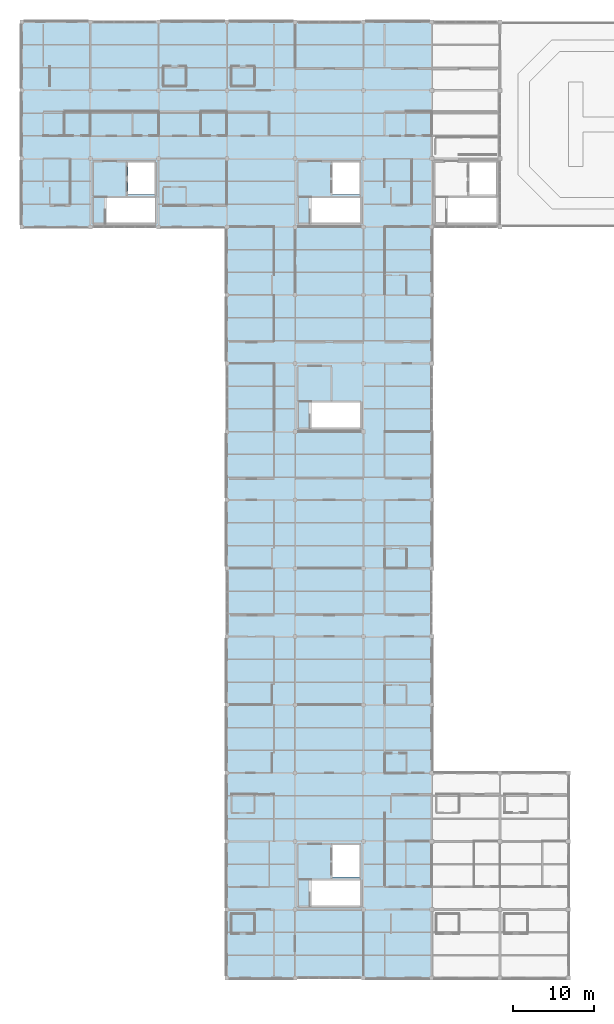
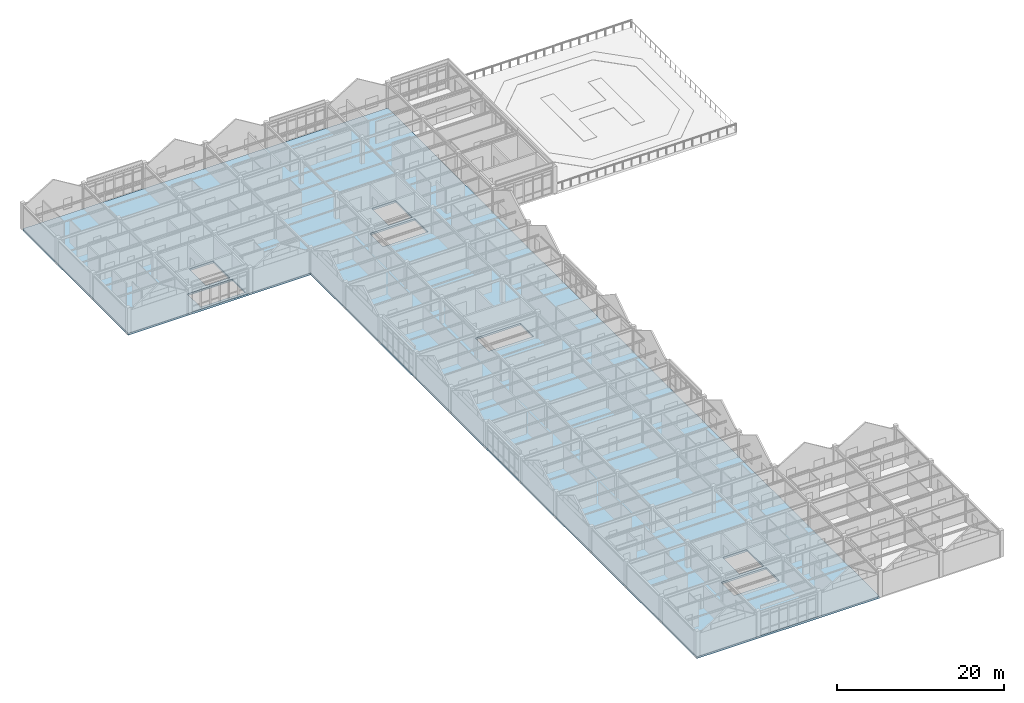
# One storey, part 28 of 45: 1 slab.
"""IFC4 building model written with IfcOpenShell, lengths in metres."""

from ifc_helpers import new_model, si_unit, direction, frame, origin, place, context, subcontext, project, spatial, polyline, outline, extrude, material, layer, layer_set, type_object, element, save


model = new_model("IFC4")

# Units and contexts
model_context = context("Model", 3, precision=1e-05, world=origin(), true_north=direction((0.0, 1.0)))
body_context = subcontext(model_context, "Body", "Model", "MODEL_VIEW")
ifc_project = project(units=[si_unit("LENGTHUNIT", "METRE"), si_unit("AREAUNIT", "SQUARE_METRE"), si_unit("VOLUMEUNIT", "CUBIC_METRE"), si_unit("PLANEANGLEUNIT", "RADIAN"), si_unit("MASSUNIT", "GRAM", prefix="KILO")], contexts=[model_context])

# Site, building, storey
site_placement = place(None, origin())
site = spatial("IfcSite", under=ifc_project, at=site_placement, CompositionType="ELEMENT")
building_placement = place(site_placement, origin())
building = spatial("IfcBuilding", under=site, at=building_placement, Name="Bramfleet General Hospital", CompositionType="ELEMENT")
storey_placement = place(building_placement, frame((0.0, 0.0, 30.300048828125)))
storey = spatial("IfcBuildingStorey", under=building, at=storey_placement, Name="L07", CompositionType="ELEMENT", Elevation=30.300048828125)

# Slab
ifc_material = material(Name="Concrete C35/45", Category="concrete")
ifc_layer = layer(ifc_material, 0.280029296875, Name="SL-FLR-280")
ifc_layer_set = layer_set([ifc_layer], Name="Concrete C35/45")
slab_type = type_object("IfcSlabType", Name="SL-FLR-280", PredefinedType="FLOOR", material=ifc_layer_set)
slab_placement = place(storey_placement, frame((0.0, 0.0, -0.280029296875)))
element("IfcSlab", 1, at=slab_placement, inside=storey, type_object=slab_type, Name="L07 Structural Floor Slab (CENTRE)", PredefinedType="FLOOR", context=body_context, shape_type="SweptSolid", body=[
    extrude(outline(polyline([(92.39990234375, 58.800048828125), (92.39990234375, 67.199951171875), (92.39990234375, 75.60009765625), (92.39990234375, 84.0), (92.39990234375, 92.39990234375), (84.0, 92.39990234375), (75.60009765625, 92.39990234375), (67.199951171875, 92.39990234375), (67.199951171875, 100.800048828125), (67.199951171875, 109.199951171875), (67.199951171875, 117.60009765625), (75.60009765625, 117.60009765625), (84.0, 117.60009765625), (92.39990234375, 117.60009765625), (100.800048828125, 117.60009765625), (109.199951171875, 117.60009765625), (117.60009765625, 117.60009765625), (117.60009765625, 92.39990234375), (117.60009765625, 84.0), (117.60009765625, 75.60009765625), (117.60009765625, 67.199951171875), (117.60009765625, 58.800048828125), (117.60009765625, 50.39990234375), (117.60009765625, 42.0), (117.60009765625, 33.60009765625), (117.60009765625, 25.199951171875), (117.60009765625, 0.0), (109.199951171875, 0.0), (100.800048828125, 0.0), (92.39990234375, 0.0), (92.39990234375, 8.39990234375), (92.39990234375, 16.800048828125), (92.39990234375, 25.199951171875), (92.39990234375, 33.60009765625), (92.39990234375, 42.0), (92.39990234375, 50.39990234375), (92.39990234375, 58.800048828125)]), holes=[polyline([(102.639892578125, 8.820068359375), (108.860107421875, 8.820068359375), (108.860107421875, 11.97998046875), (102.639892578125, 11.97998046875), (102.639892578125, 8.820068359375)]), polyline([(105.419921875, 12.39990234375), (108.75, 12.39990234375), (108.75, 16.35009765625), (105.419921875, 16.35009765625), (105.419921875, 12.39990234375)]), polyline([(102.639892578125, 92.820068359375), (108.860107421875, 92.820068359375), (108.860107421875, 95.97998046875), (102.639892578125, 95.97998046875), (102.639892578125, 92.820068359375)]), polyline([(105.419921875, 96.39990234375), (108.75, 96.39990234375), (108.75, 100.35009765625), (105.419921875, 100.35009765625), (105.419921875, 96.39990234375)]), polyline([(77.43994140625, 92.820068359375), (83.659912109375, 92.820068359375), (83.659912109375, 95.97998046875), (77.43994140625, 95.97998046875), (77.43994140625, 92.820068359375)]), polyline([(80.219970703125, 96.39990234375), (83.550048828125, 96.39990234375), (83.550048828125, 100.35009765625), (80.219970703125, 100.35009765625), (80.219970703125, 96.39990234375)]), polyline([(102.639892578125, 67.6201171875), (108.860107421875, 67.6201171875), (108.860107421875, 70.780029296875), (102.639892578125, 70.780029296875), (102.639892578125, 67.6201171875)])]), origin(), (0.0, 0.0, 1.0), 0.280029296875),
])

save(model, "model.ifc")
